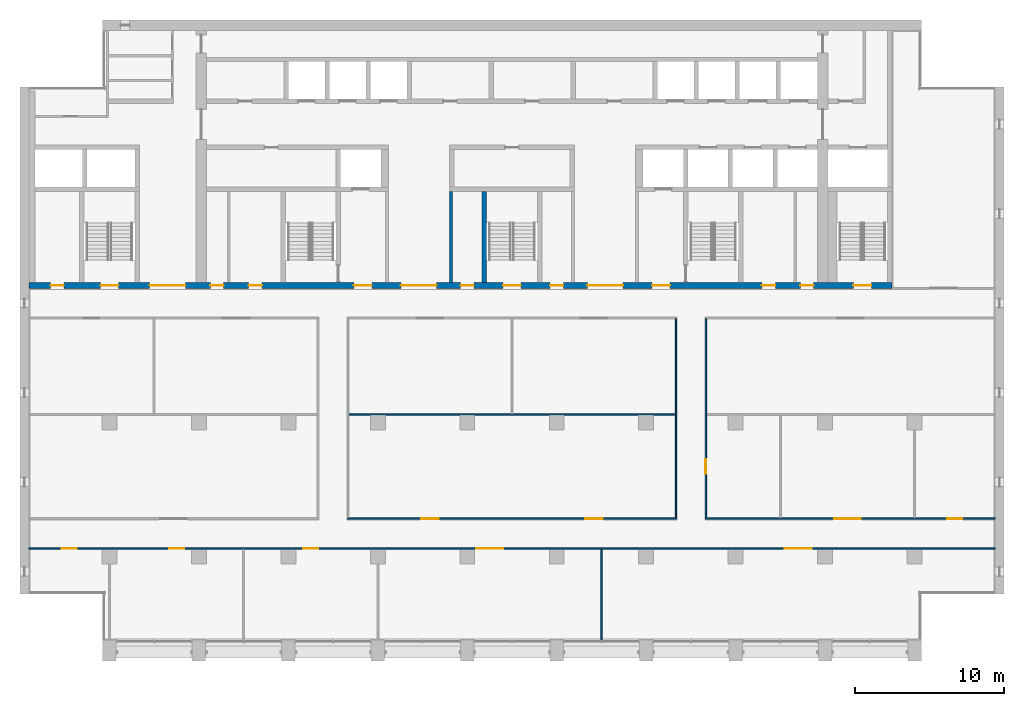
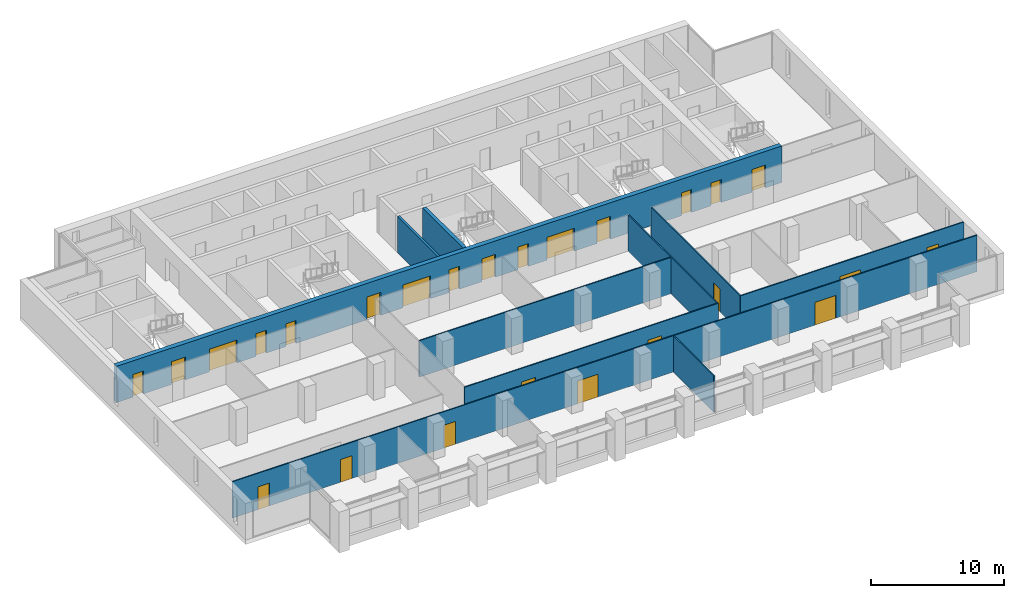
# One storey, part 9 of 17: 25 doors, 10 walls, 25 openings.
"""IFC4 building model written with IfcOpenShell, lengths in metres."""

import ifcopenshell
import ifcopenshell.guid

model = None  # the IFC model being written
_history = None  # IfcOwnerHistory: only IFC2X3 demands one
_inside = {}  # id of a spatial element -> (the spatial element, [elements in it])
_under = {}  # id of a project, library or spatial element -> (it, [spatial elements below it])
_declared = {}  # id of a project -> (the project, [libraries it declares])
_typed = {}  # id of a type object -> (the type object, [elements of that type])
_made_of = {}  # id of a material, layer set ... -> (it, [elements and type objects made of it])


def new_model(schema):
    """Start an empty IFC model of exactly this schema.

    Asked for "IFC4X3", IfcOpenShell would pick the latest addendum, in which some entities
    have other attributes; the version numbers below select the first issue.
    IFC2X3 requires an IfcOwnerHistory on every rooted entity: one is made here for all.
    """
    global model, _history
    if schema == "IFC4X3":
        model = ifcopenshell.file(schema_version=(4, 3, 0, 0))
    else:
        model = ifcopenshell.file(schema=schema)
    _inside.clear()
    _under.clear()
    _declared.clear()
    _typed.clear()
    _made_of.clear()
    _history = None
    if model.schema == "IFC2X3":
        org = make("IfcOrganization", Name="unknown")
        user = make(
            "IfcPersonAndOrganization",
            ThePerson=make("IfcPerson", FamilyName="unknown"),
            TheOrganization=org,
        )
        app = make(
            "IfcApplication",
            ApplicationDeveloper=org,
            Version="unknown",
            ApplicationFullName="unknown",
            ApplicationIdentifier="unknown",
        )
        _history = make(
            "IfcOwnerHistory",
            OwningUser=user,
            OwningApplication=app,
            ChangeAction="ADDED",
            CreationDate=0,
        )
    return model


def make(cls, **values):
    """One entity of the class cls with the attributes given. An attribute that is None is left unset."""
    return model.create_entity(
        cls, **{name: value for name, value in values.items() if value is not None}
    )


def rooted(cls, **values):
    """An entity with a GlobalId (a new one), such as an element, a storey or a relation."""
    return make(cls, GlobalId=ifcopenshell.guid.new(), OwnerHistory=_history, **values)


def si_unit(unit_type, name, prefix=None):
    """IfcSIUnit, for example si_unit("LENGTHUNIT", "METRE", prefix="MILLI")."""
    return make("IfcSIUnit", UnitType=unit_type, Prefix=prefix, Name=name)


def assignment(units):
    """IfcUnitAssignment: the units of a project."""
    return None if units is None else make("IfcUnitAssignment", Units=units)


def point(xyz):
    """IfcCartesianPoint."""
    return None if xyz is None else make("IfcCartesianPoint", Coordinates=xyz)


def direction(xyz):
    """IfcDirection."""
    return None if xyz is None else make("IfcDirection", DirectionRatios=xyz)


def frame(location, z_axis=None, x_axis=None):
    """IfcAxis2Placement3D, a coordinate frame: its origin and axes. An axis left out is left unset."""
    return make(
        "IfcAxis2Placement3D",
        Location=point(location),
        Axis=direction(z_axis),
        RefDirection=direction(x_axis),
    )


def frame_2d(location, x_axis=None):
    """IfcAxis2Placement2D, a coordinate frame in the plane: its origin and x axis."""
    return make(
        "IfcAxis2Placement2D", Location=point(location), RefDirection=direction(x_axis)
    )


def origin():
    """The frame at (0, 0, 0) with its axes left unset."""
    return frame((0.0, 0.0, 0.0))


def place(relative_to, where):
    """IfcLocalPlacement: puts the frame where relative to a parent placement (None: the world)."""
    return make(
        "IfcLocalPlacement", PlacementRelTo=relative_to, RelativePlacement=where
    )


def context(
    kind, dimensions, precision=None, world=None, true_north=None, identifier=None
):
    """IfcGeometricRepresentationContext, for example the 3D "Model" context."""
    return make(
        "IfcGeometricRepresentationContext",
        ContextIdentifier=identifier,
        ContextType=kind,
        CoordinateSpaceDimension=dimensions,
        Precision=precision,
        WorldCoordinateSystem=world,
        TrueNorth=true_north,
    )


def subcontext(parent, identifier, kind, view, scale=None):
    """IfcGeometricRepresentationSubContext, for example "Body" below "Model"."""
    return make(
        "IfcGeometricRepresentationSubContext",
        ContextIdentifier=identifier,
        ContextType=kind,
        ParentContext=parent,
        TargetScale=scale,
        TargetView=view,
    )


def project(units=None, contexts=None):
    """IfcProject with its units and contexts."""
    return rooted(
        "IfcProject",
        Name="project",
        RepresentationContexts=contexts,
        UnitsInContext=assignment(units),
    )


def spatial(cls, under=None, at=None, **own):
    """A site, building, storey or space (cls), placed at a placement, below another one or the project."""
    s = rooted(cls, ObjectPlacement=at, **own)
    if under is not None:
        _under.setdefault(under.id(), (under, []))[1].append(s)
    return s


def profile(cls, at=None, kind="AREA", **sizes):
    """A parametric profile (cls). Its sizes go by their IFC names, for example OverallWidth=200.0."""
    return make(cls, ProfileType=kind, Position=at, **sizes)


def rectangle(**sizes):
    """IfcRectangleProfileDef."""
    return profile("IfcRectangleProfileDef", **sizes)


def extrude(swept, where, along, depth):
    """IfcExtrudedAreaSolid: the profile swept, set in the frame where, extruded along a direction by depth."""
    return make(
        "IfcExtrudedAreaSolid",
        SweptArea=swept,
        Position=where,
        ExtrudedDirection=direction(along),
        Depth=depth,
    )


def shape(context_of_items, identifier, shape_type, items):
    """IfcShapeRepresentation: the items that make up one representation, for example the "Body"."""
    return make(
        "IfcShapeRepresentation",
        ContextOfItems=context_of_items,
        RepresentationIdentifier=identifier,
        RepresentationType=shape_type,
        Items=items,
    )


def material(Name=None, Category=None):
    """IfcMaterial."""
    return make("IfcMaterial", Name=Name, Category=Category)


def layer(
    of_material, thickness, ventilated=None, Name=None, Category=None, Priority=None
):
    """IfcMaterialLayer: one layer of a wall or slab, of a material (None: an air gap)."""
    return make(
        "IfcMaterialLayer",
        Material=of_material,
        LayerThickness=thickness,
        IsVentilated=ventilated,
        Name=Name,
        Category=Category,
        Priority=Priority,
    )


def layer_set(layers, Name=None):
    """IfcMaterialLayerSet."""
    return make("IfcMaterialLayerSet", MaterialLayers=layers, LayerSetName=Name)


def made_of(thing, what):
    """Note that an element or type object is made of a material, layer set ...; save() writes the relation."""
    if what is not None:
        _made_of.setdefault(what.id(), (what, []))[1].append(thing)
    return thing


def type_object(cls, material=None, **own):
    """A type object (cls), such as IfcWallType, which elements share."""
    return made_of(rooted(cls, **own), material)


def element(
    cls,
    number,
    at=None,
    inside=None,
    cuts=None,
    type_object=None,
    material=None,
    context=None,
    identifier="Body",
    shape_type=None,
    held_by="IfcProductDefinitionShape",
    body=None,
    shapes=None,
    **own,
):
    """One element of the class cls, such as IfcWall. Its Tag is "e" and its number.

    at: its placement. inside: the storey or other place that contains it. cuts: it is an
    opening in that element (IfcRelVoidsElement). A single representation is given by context,
    identifier, shape_type and body (its items); several are given by shapes. held_by: the class
    of the entity that holds the representations. save() writes the other relations.
    """
    e = rooted(cls, Tag="e%d" % number, ObjectPlacement=at, **own)
    if body is not None:
        shapes = [shape(context, identifier, shape_type, body)]
    if shapes is not None:
        e.Representation = make(held_by, Representations=shapes)
    if inside is not None:
        _inside.setdefault(inside.id(), (inside, []))[1].append(e)
    if cuts is not None:
        rooted(
            "IfcRelVoidsElement", RelatingBuildingElement=cuts, RelatedOpeningElement=e
        )
    if type_object is not None:
        _typed.setdefault(type_object.id(), (type_object, []))[1].append(e)
    return made_of(e, material)


def fill(opening, filler):
    """IfcRelFillsElement: the door or window that sits in an opening."""
    return rooted(
        "IfcRelFillsElement",
        RelatingOpeningElement=opening,
        RelatedBuildingElement=filler,
    )


def aggregate(whole, parts):
    """IfcRelAggregates: a whole, such as a stair, and the parts it consists of."""
    return rooted("IfcRelAggregates", RelatingObject=whole, RelatedObjects=parts)


def save(model, path):
    """Write the relations noted so far, then the file.

    IfcRelAggregates (storeys below a building ...), IfcRelContainedInSpatialStructure (elements
    in a storey), IfcRelDefinesByType, IfcRelAssociatesMaterial and IfcRelDeclares: one each for
    every whole, place, type object, material and project.
    """
    for whole, parts in _under.values():
        aggregate(whole, parts)
    for where, things in _inside.values():
        rooted(
            "IfcRelContainedInSpatialStructure",
            RelatedElements=things,
            RelatingStructure=where,
        )
    for kind, things in _typed.values():
        rooted("IfcRelDefinesByType", RelatedObjects=things, RelatingType=kind)
    for what, things in _made_of.values():
        rooted("IfcRelAssociatesMaterial", RelatedObjects=things, RelatingMaterial=what)
    for by, libraries in _declared.values():
        rooted("IfcRelDeclares", RelatingContext=by, RelatedDefinitions=libraries)
    model.write(path)


model = new_model("IFC4")

# Units and contexts
model_context = context("Model", 3, precision=1e-05, world=origin(), true_north=direction((0.0, 1.0)))
body_context = subcontext(model_context, "Body", "Model", "MODEL_VIEW")
ifc_project = project(units=[si_unit("LENGTHUNIT", "METRE"), si_unit("AREAUNIT", "SQUARE_METRE"), si_unit("VOLUMEUNIT", "CUBIC_METRE"), si_unit("PLANEANGLEUNIT", "RADIAN"), si_unit("MASSUNIT", "GRAM", prefix="KILO")], contexts=[model_context])

# Site, building, storey
site_placement = place(None, origin())
site = spatial("IfcSite", under=ifc_project, at=site_placement, CompositionType="ELEMENT")
building_placement = place(site_placement, origin())
building = spatial("IfcBuilding", under=site, at=building_placement, Name="Calvaro Tower", CompositionType="ELEMENT")
storey_placement = place(building_placement, frame((0.0, 0.0, 215.5)))
storey = spatial("IfcBuildingStorey", under=building, at=storey_placement, Name="L54", CompositionType="ELEMENT", Elevation=215.5)

# Walls
ifc_material_1 = material(Name="Blockwork partition", Category="masonry")
ifc_layer_1 = layer(ifc_material_1, 0.199951171875)
ifc_layer_set_1 = layer_set([ifc_layer_1], Name="Blockwork partition")
wall_type_1 = type_object("IfcWallType", Name="Core partition 200 REI 120", PredefinedType="PARTITIONING", material=ifc_layer_set_1)
wall_1_placement = place(storey_placement, frame((34.89990234375, 28.39990234375, 0.0), z_axis=(0.0, 0.0, 1.0), x_axis=(0.0, 1.0, 0.0)))
element("IfcWall", 1, at=wall_1_placement, inside=storey, type_object=wall_type_1, Name="Core partition", PredefinedType="PARTITIONING", context=body_context, shape_type="SweptSolid", body=[
    extrude(rectangle(XDim=6.10009765625, YDim=0.199951171875, at=frame_2d((3.050048828125, 0.0))), origin(), (0.0, 0.0, 1.0), 3.35009765625),
])
ifc_material_2 = material(Name="Concrete C50/60", Category="concrete")
ifc_layer_2 = layer(ifc_material_2, 0.300048828125)
ifc_layer_set_2 = layer_set([ifc_layer_2], Name="Concrete C50/60")
wall_type_2 = type_object("IfcWallType", Name="Core wall C50/60 300", PredefinedType="SHEAR", material=ifc_layer_set_2)
wall_2_placement = place(storey_placement, frame((37.14990234375, 28.39990234375, 0.0), z_axis=(0.0, 0.0, 1.0), x_axis=(0.0, 1.0, 0.0)))
element("IfcWall", 2, at=wall_2_placement, inside=storey, type_object=wall_type_2, Name="Core wall, stair enclosure", PredefinedType="SHEAR", context=body_context, shape_type="SweptSolid", body=[
    extrude(rectangle(XDim=6.10009765625, YDim=0.300048828125, at=frame_2d((3.050048828125, 0.0))), origin(), (0.0, 0.0, 1.0), 3.35009765625),
])

# Wall, openings, doors
ifc_material_3 = material(Name="Concrete C50/60", Category="concrete")
ifc_layer_3 = layer(ifc_material_3, 0.39990234375)
ifc_layer_set_3 = layer_set([ifc_layer_3], Name="Concrete C50/60")
wall_type_3 = type_object("IfcWallType", Name="Core wall C50/60 400", PredefinedType="SHEAR", material=ifc_layer_set_3)
wall_3_placement = place(storey_placement, frame((6.60009765625, 28.199951171875, 0.0), z_axis=(0.0, 0.0, 1.0), x_axis=(1.0, 0.0, 0.0)))
wall_3 = element("IfcWall", 3, at=wall_3_placement, inside=storey, type_object=wall_type_3, Name="Core wall, front", PredefinedType="SHEAR", context=body_context, shape_type="SweptSolid", body=[
    extrude(rectangle(XDim=57.89990234375, YDim=0.39990234375, at=frame_2d((28.949951171875, 0.0))), origin(), (0.0, 0.0, 1.0), 3.35009765625),
])
opening_1_placement = place(wall_3_placement, frame((12.16259765625, 0.0, 0.0)))
opening_1 = element("IfcOpeningElement", 4, at=opening_1_placement, cuts=wall_3, Name="Opening RD9C", PredefinedType="OPENING", context=body_context, shape_type="SweptSolid", body=[
    extrude(rectangle(XDim=0.89990234375, YDim=2.10009765625, at=frame_2d((0.449951171875, 1.050048828125))), frame((0.0, 0.2099609375, 0.0), z_axis=(0.0, -1.0, 0.0), x_axis=(1.0, 0.0, 0.0)), (0.0, 0.0, 1.0), 0.419921875),
])
opening_2_placement = place(wall_3_placement, frame((14.737548828125, 0.0, 0.0)))
opening_2 = element("IfcOpeningElement", 5, at=opening_2_placement, cuts=wall_3, Name="Opening RD9E", PredefinedType="OPENING", context=body_context, shape_type="SweptSolid", body=[
    extrude(rectangle(XDim=0.89990234375, YDim=2.10009765625, at=frame_2d((0.449951171875, 1.050048828125))), frame((0.0, 0.2099609375, 0.0), z_axis=(0.0, -1.0, 0.0), x_axis=(1.0, 0.0, 0.0)), (0.0, 0.0, 1.0), 0.419921875),
])
opening_3_placement = place(wall_3_placement, frame((49.16259765625, 0.0, 0.0)))
opening_3 = element("IfcOpeningElement", 6, at=opening_3_placement, cuts=wall_3, Name="Opening RD9E", PredefinedType="OPENING", context=body_context, shape_type="SweptSolid", body=[
    extrude(rectangle(XDim=0.89990234375, YDim=2.10009765625, at=frame_2d((0.449951171875, 1.050048828125))), frame((0.0, 0.2099609375, 0.0), z_axis=(0.0, -1.0, 0.0), x_axis=(1.0, 0.0, 0.0)), (0.0, 0.0, 1.0), 0.419921875),
])
opening_4_placement = place(wall_3_placement, frame((51.737548828125, 0.0, 0.0)))
opening_4 = element("IfcOpeningElement", 7, at=opening_4_placement, cuts=wall_3, Name="Opening RD9C", PredefinedType="OPENING", context=body_context, shape_type="SweptSolid", body=[
    extrude(rectangle(XDim=0.89990234375, YDim=2.10009765625, at=frame_2d((0.449951171875, 1.050048828125))), frame((0.0, 0.2099609375, 0.0), z_axis=(0.0, -1.0, 0.0), x_axis=(1.0, 0.0, 0.0)), (0.0, 0.0, 1.0), 0.419921875),
])
opening_5_placement = place(wall_3_placement, frame((1.449951171875, 0.0, 0.0)))
opening_5 = element("IfcOpeningElement", 8, at=opening_5_placement, cuts=wall_3, Name="Opening RD9E", PredefinedType="OPENING", context=body_context, shape_type="SweptSolid", body=[
    extrude(rectangle(XDim=0.89990234375, YDim=2.10009765625, at=frame_2d((0.449951171875, 1.050048828125))), frame((0.0, 0.2099609375, 0.0), z_axis=(0.0, -1.0, 0.0), x_axis=(1.0, 0.0, 0.0)), (0.0, 0.0, 1.0), 0.419921875),
])
opening_6_placement = place(wall_3_placement, frame((4.800048828125, 0.0, 0.0)))
opening_6 = element("IfcOpeningElement", 9, at=opening_6_placement, cuts=wall_3, Name="Opening SD12D", PredefinedType="OPENING", context=body_context, shape_type="SweptSolid", body=[
    extrude(rectangle(XDim=1.199951171875, YDim=2.10009765625, at=frame_2d((0.60009765625, 1.050048828125))), frame((0.0, 0.2099609375, 0.0), z_axis=(0.0, -1.0, 0.0), x_axis=(1.0, 0.0, 0.0)), (0.0, 0.0, 1.0), 0.419921875),
])
opening_7_placement = place(wall_3_placement, frame((31.800048828125, 0.0, 0.0)))
opening_7 = element("IfcOpeningElement", 10, at=opening_7_placement, cuts=wall_3, Name="Opening SD12D", PredefinedType="OPENING", context=body_context, shape_type="SweptSolid", body=[
    extrude(rectangle(XDim=1.199951171875, YDim=2.10009765625, at=frame_2d((0.60009765625, 1.050048828125))), frame((0.0, 0.2099609375, 0.0), z_axis=(0.0, -1.0, 0.0), x_axis=(1.0, 0.0, 0.0)), (0.0, 0.0, 1.0), 0.419921875),
])
opening_8_placement = place(wall_3_placement, frame((55.300048828125, 0.0, 0.0)))
opening_8 = element("IfcOpeningElement", 11, at=opening_8_placement, cuts=wall_3, Name="Opening SD12D", PredefinedType="OPENING", context=body_context, shape_type="SweptSolid", body=[
    extrude(rectangle(XDim=1.199951171875, YDim=2.10009765625, at=frame_2d((0.60009765625, 1.050048828125))), frame((0.0, 0.2099609375, 0.0), z_axis=(0.0, -1.0, 0.0), x_axis=(1.0, 0.0, 0.0)), (0.0, 0.0, 1.0), 0.419921875),
])
opening_9_placement = place(wall_3_placement, frame((21.800048828125, 0.0, 0.0)))
opening_9 = element("IfcOpeningElement", 12, at=opening_9_placement, cuts=wall_3, Name="Opening FD12F", PredefinedType="OPENING", context=body_context, shape_type="SweptSolid", body=[
    extrude(rectangle(XDim=1.199951171875, YDim=2.10009765625, at=frame_2d((0.60009765625, 1.050048828125))), frame((0.0, 0.2099609375, 0.0), z_axis=(0.0, -1.0, 0.0), x_axis=(1.0, 0.0, 0.0)), (0.0, 0.0, 1.0), 0.419921875),
])
opening_10_placement = place(wall_3_placement, frame((41.800048828125, 0.0, 0.0)))
opening_10 = element("IfcOpeningElement", 13, at=opening_10_placement, cuts=wall_3, Name="Opening FD12F", PredefinedType="OPENING", context=body_context, shape_type="SweptSolid", body=[
    extrude(rectangle(XDim=1.199951171875, YDim=2.10009765625, at=frame_2d((0.60009765625, 1.050048828125))), frame((0.0, 0.2099609375, 0.0), z_axis=(0.0, -1.0, 0.0), x_axis=(1.0, 0.0, 0.0)), (0.0, 0.0, 1.0), 0.419921875),
])
opening_11_placement = place(wall_3_placement, frame((24.949951171875, 0.0, 0.0)))
opening_11 = element("IfcOpeningElement", 14, at=opening_11_placement, cuts=wall_3, Name="Opening DD24D", PredefinedType="OPENING", context=body_context, shape_type="SweptSolid", body=[
    extrude(rectangle(XDim=2.39990234375, YDim=2.10009765625, at=frame_2d((1.199951171875, 1.050048828125))), frame((0.0, 0.2099609375, 0.0), z_axis=(0.0, -1.0, 0.0), x_axis=(1.0, 0.0, 0.0)), (0.0, 0.0, 1.0), 0.419921875),
])
opening_12_placement = place(wall_3_placement, frame((37.449951171875, 0.0, 0.0)))
opening_12 = element("IfcOpeningElement", 15, at=opening_12_placement, cuts=wall_3, Name="Opening DD24D", PredefinedType="OPENING", context=body_context, shape_type="SweptSolid", body=[
    extrude(rectangle(XDim=2.39990234375, YDim=2.10009765625, at=frame_2d((1.199951171875, 1.050048828125))), frame((0.0, 0.2099609375, 0.0), z_axis=(0.0, -1.0, 0.0), x_axis=(1.0, 0.0, 0.0)), (0.0, 0.0, 1.0), 0.419921875),
])
opening_13_placement = place(wall_3_placement, frame((8.10009765625, 0.0, 0.0)))
opening_13 = element("IfcOpeningElement", 16, at=opening_13_placement, cuts=wall_3, Name="Opening DD24D", PredefinedType="OPENING", context=body_context, shape_type="SweptSolid", body=[
    extrude(rectangle(XDim=2.39990234375, YDim=2.10009765625, at=frame_2d((1.199951171875, 1.050048828125))), frame((0.0, 0.2099609375, 0.0), z_axis=(0.0, -1.0, 0.0), x_axis=(1.0, 0.0, 0.0)), (0.0, 0.0, 1.0), 0.419921875),
])
opening_14_placement = place(wall_3_placement, frame((28.949951171875, 0.0, 0.0)))
opening_14 = element("IfcOpeningElement", 17, at=opening_14_placement, cuts=wall_3, Name="Opening RD9E", PredefinedType="OPENING", context=body_context, shape_type="SweptSolid", body=[
    extrude(rectangle(XDim=0.89990234375, YDim=2.10009765625, at=frame_2d((0.449951171875, 1.050048828125))), frame((0.0, 0.2099609375, 0.0), z_axis=(0.0, -1.0, 0.0), x_axis=(1.0, 0.0, 0.0)), (0.0, 0.0, 1.0), 0.419921875),
])
opening_15_placement = place(wall_3_placement, frame((34.949951171875, 0.0, 0.0)))
opening_15 = element("IfcOpeningElement", 18, at=opening_15_placement, cuts=wall_3, Name="Opening RD9E", PredefinedType="OPENING", context=body_context, shape_type="SweptSolid", body=[
    extrude(rectangle(XDim=0.89990234375, YDim=2.10009765625, at=frame_2d((0.449951171875, 1.050048828125))), frame((0.0, 0.2099609375, 0.0), z_axis=(0.0, -1.0, 0.0), x_axis=(1.0, 0.0, 0.0)), (0.0, 0.0, 1.0), 0.419921875),
])
ifc_material_4 = material(Name="Steel door set", Category="steel")
door_type_1 = type_object("IfcDoorType", Name="Fire door 1200 FD60S", OperationType="SINGLE_SWING_LEFT", PredefinedType="DOOR", material=ifc_material_4)
door_1_placement = place(opening_9_placement, origin())
door_1 = element("IfcDoor", 19, at=door_1_placement, inside=storey, type_object=door_type_1, Name="Fire door", OperationType="SINGLE_SWING_LEFT", OverallHeight=2.10009765625, OverallWidth=1.199951171875, PredefinedType="DOOR", context=body_context, shape_type="SweptSolid", body=[
    extrude(rectangle(XDim=1.199951171875, YDim=2.10009765625, at=frame_2d((0.60009765625, 1.050048828125))), frame((0.0, 0.02490234375, 0.0), z_axis=(0.0, -1.0, 0.0), x_axis=(1.0, 0.0, 0.0)), (0.0, 0.0, 1.0), 0.050048828125),
])
fill(opening_9, door_1)
door_2_placement = place(opening_10_placement, origin())
door_2 = element("IfcDoor", 20, at=door_2_placement, inside=storey, type_object=door_type_1, Name="Fire door", OperationType="SINGLE_SWING_LEFT", OverallHeight=2.10009765625, OverallWidth=1.199951171875, PredefinedType="DOOR", context=body_context, shape_type="SweptSolid", body=[
    extrude(rectangle(XDim=1.199951171875, YDim=2.10009765625, at=frame_2d((0.60009765625, 1.050048828125))), frame((0.0, 0.02490234375, 0.0), z_axis=(0.0, -1.0, 0.0), x_axis=(1.0, 0.0, 0.0)), (0.0, 0.0, 1.0), 0.050048828125),
])
fill(opening_10, door_2)
ifc_material_5 = material(Name="Steel door set", Category="steel")
door_type_2 = type_object("IfcDoorType", Name="Lobby double door 2400 FD30S", OperationType="DOUBLE_DOOR_SINGLE_SWING", PredefinedType="DOOR", material=ifc_material_5)
door_3_placement = place(opening_11_placement, origin())
door_3 = element("IfcDoor", 21, at=door_3_placement, inside=storey, type_object=door_type_2, Name="Lobby double door", OperationType="DOUBLE_DOOR_SINGLE_SWING", OverallHeight=2.10009765625, OverallWidth=2.39990234375, PredefinedType="DOOR", context=body_context, shape_type="SweptSolid", body=[
    extrude(rectangle(XDim=2.39990234375, YDim=2.10009765625, at=frame_2d((1.199951171875, 1.050048828125))), frame((0.0, 0.02490234375, 0.0), z_axis=(0.0, -1.0, 0.0), x_axis=(1.0, 0.0, 0.0)), (0.0, 0.0, 1.0), 0.050048828125),
])
fill(opening_11, door_3)
door_4_placement = place(opening_12_placement, origin())
door_4 = element("IfcDoor", 22, at=door_4_placement, inside=storey, type_object=door_type_2, Name="Lobby double door", OperationType="DOUBLE_DOOR_SINGLE_SWING", OverallHeight=2.10009765625, OverallWidth=2.39990234375, PredefinedType="DOOR", context=body_context, shape_type="SweptSolid", body=[
    extrude(rectangle(XDim=2.39990234375, YDim=2.10009765625, at=frame_2d((1.199951171875, 1.050048828125))), frame((0.0, 0.02490234375, 0.0), z_axis=(0.0, -1.0, 0.0), x_axis=(1.0, 0.0, 0.0)), (0.0, 0.0, 1.0), 0.050048828125),
])
fill(opening_12, door_4)
door_5_placement = place(opening_13_placement, origin())
door_5 = element("IfcDoor", 23, at=door_5_placement, inside=storey, type_object=door_type_2, Name="Lobby double door", OperationType="DOUBLE_DOOR_SINGLE_SWING", OverallHeight=2.10009765625, OverallWidth=2.39990234375, PredefinedType="DOOR", context=body_context, shape_type="SweptSolid", body=[
    extrude(rectangle(XDim=2.39990234375, YDim=2.10009765625, at=frame_2d((1.199951171875, 1.050048828125))), frame((0.0, 0.02490234375, 0.0), z_axis=(0.0, -1.0, 0.0), x_axis=(1.0, 0.0, 0.0)), (0.0, 0.0, 1.0), 0.050048828125),
])
fill(opening_13, door_5)
ifc_material_6 = material(Name="Steel door set", Category="steel")
door_type_3 = type_object("IfcDoorType", Name="Room door 900 FD30", OperationType="SINGLE_SWING_LEFT", PredefinedType="DOOR", material=ifc_material_6)
door_6_placement = place(opening_1_placement, origin())
door_6 = element("IfcDoor", 24, at=door_6_placement, inside=storey, type_object=door_type_3, Name="Room door", OperationType="SINGLE_SWING_LEFT", OverallHeight=2.10009765625, OverallWidth=0.89990234375, PredefinedType="DOOR", context=body_context, shape_type="SweptSolid", body=[
    extrude(rectangle(XDim=0.89990234375, YDim=2.10009765625, at=frame_2d((0.449951171875, 1.050048828125))), frame((0.0, 0.02490234375, 0.0), z_axis=(0.0, -1.0, 0.0), x_axis=(1.0, 0.0, 0.0)), (0.0, 0.0, 1.0), 0.050048828125),
])
fill(opening_1, door_6)
door_7_placement = place(opening_4_placement, origin())
door_7 = element("IfcDoor", 25, at=door_7_placement, inside=storey, type_object=door_type_3, Name="Room door", OperationType="SINGLE_SWING_LEFT", OverallHeight=2.10009765625, OverallWidth=0.89990234375, PredefinedType="DOOR", context=body_context, shape_type="SweptSolid", body=[
    extrude(rectangle(XDim=0.89990234375, YDim=2.10009765625, at=frame_2d((0.449951171875, 1.050048828125))), frame((0.0, 0.02490234375, 0.0), z_axis=(0.0, -1.0, 0.0), x_axis=(1.0, 0.0, 0.0)), (0.0, 0.0, 1.0), 0.050048828125),
])
fill(opening_4, door_7)
ifc_material_7 = material(Name="Steel door set", Category="steel")
door_type_4 = type_object("IfcDoorType", Name="Room door 900 FD60", OperationType="SINGLE_SWING_LEFT", PredefinedType="DOOR", material=ifc_material_7)
door_8_placement = place(opening_2_placement, origin())
door_8 = element("IfcDoor", 26, at=door_8_placement, inside=storey, type_object=door_type_4, Name="Room door", OperationType="SINGLE_SWING_RIGHT", OverallHeight=2.10009765625, OverallWidth=0.89990234375, PredefinedType="DOOR", context=body_context, shape_type="SweptSolid", body=[
    extrude(rectangle(XDim=0.89990234375, YDim=2.10009765625, at=frame_2d((0.449951171875, 1.050048828125))), frame((0.0, 0.02490234375, 0.0), z_axis=(0.0, -1.0, 0.0), x_axis=(1.0, 0.0, 0.0)), (0.0, 0.0, 1.0), 0.050048828125),
])
fill(opening_2, door_8)
door_9_placement = place(opening_3_placement, origin())
door_9 = element("IfcDoor", 27, at=door_9_placement, inside=storey, type_object=door_type_4, Name="Room door", OperationType="SINGLE_SWING_LEFT", OverallHeight=2.10009765625, OverallWidth=0.89990234375, PredefinedType="DOOR", context=body_context, shape_type="SweptSolid", body=[
    extrude(rectangle(XDim=0.89990234375, YDim=2.10009765625, at=frame_2d((0.449951171875, 1.050048828125))), frame((0.0, 0.02490234375, 0.0), z_axis=(0.0, -1.0, 0.0), x_axis=(1.0, 0.0, 0.0)), (0.0, 0.0, 1.0), 0.050048828125),
])
fill(opening_3, door_9)
door_10_placement = place(opening_5_placement, origin())
door_10 = element("IfcDoor", 28, at=door_10_placement, inside=storey, type_object=door_type_4, Name="Room door", OperationType="SINGLE_SWING_LEFT", OverallHeight=2.10009765625, OverallWidth=0.89990234375, PredefinedType="DOOR", context=body_context, shape_type="SweptSolid", body=[
    extrude(rectangle(XDim=0.89990234375, YDim=2.10009765625, at=frame_2d((0.449951171875, 1.050048828125))), frame((0.0, 0.02490234375, 0.0), z_axis=(0.0, -1.0, 0.0), x_axis=(1.0, 0.0, 0.0)), (0.0, 0.0, 1.0), 0.050048828125),
])
fill(opening_5, door_10)
door_11_placement = place(opening_14_placement, origin())
door_11 = element("IfcDoor", 29, at=door_11_placement, inside=storey, type_object=door_type_4, Name="Room door", OperationType="SINGLE_SWING_LEFT", OverallHeight=2.10009765625, OverallWidth=0.89990234375, PredefinedType="DOOR", context=body_context, shape_type="SweptSolid", body=[
    extrude(rectangle(XDim=0.89990234375, YDim=2.10009765625, at=frame_2d((0.449951171875, 1.050048828125))), frame((0.0, 0.02490234375, 0.0), z_axis=(0.0, -1.0, 0.0), x_axis=(1.0, 0.0, 0.0)), (0.0, 0.0, 1.0), 0.050048828125),
])
fill(opening_14, door_11)
door_12_placement = place(opening_15_placement, origin())
door_12 = element("IfcDoor", 30, at=door_12_placement, inside=storey, type_object=door_type_4, Name="Room door", OperationType="SINGLE_SWING_LEFT", OverallHeight=2.10009765625, OverallWidth=0.89990234375, PredefinedType="DOOR", context=body_context, shape_type="SweptSolid", body=[
    extrude(rectangle(XDim=0.89990234375, YDim=2.10009765625, at=frame_2d((0.449951171875, 1.050048828125))), frame((0.0, 0.02490234375, 0.0), z_axis=(0.0, -1.0, 0.0), x_axis=(1.0, 0.0, 0.0)), (0.0, 0.0, 1.0), 0.050048828125),
])
fill(opening_15, door_12)
ifc_material_8 = material(Name="Steel door set", Category="steel")
door_type_5 = type_object("IfcDoorType", Name="Stair door 1200 FD30S", OperationType="SINGLE_SWING_LEFT", PredefinedType="DOOR", material=ifc_material_8)
door_13_placement = place(opening_6_placement, origin())
door_13 = element("IfcDoor", 31, at=door_13_placement, inside=storey, type_object=door_type_5, Name="Stair door", OperationType="SINGLE_SWING_LEFT", OverallHeight=2.10009765625, OverallWidth=1.199951171875, PredefinedType="DOOR", context=body_context, shape_type="SweptSolid", body=[
    extrude(rectangle(XDim=1.199951171875, YDim=2.10009765625, at=frame_2d((0.60009765625, 1.050048828125))), frame((0.0, 0.02490234375, 0.0), z_axis=(0.0, -1.0, 0.0), x_axis=(1.0, 0.0, 0.0)), (0.0, 0.0, 1.0), 0.050048828125),
])
fill(opening_6, door_13)
door_14_placement = place(opening_7_placement, origin())
door_14 = element("IfcDoor", 32, at=door_14_placement, inside=storey, type_object=door_type_5, Name="Stair door", OperationType="SINGLE_SWING_LEFT", OverallHeight=2.10009765625, OverallWidth=1.199951171875, PredefinedType="DOOR", context=body_context, shape_type="SweptSolid", body=[
    extrude(rectangle(XDim=1.199951171875, YDim=2.10009765625, at=frame_2d((0.60009765625, 1.050048828125))), frame((0.0, 0.02490234375, 0.0), z_axis=(0.0, -1.0, 0.0), x_axis=(1.0, 0.0, 0.0)), (0.0, 0.0, 1.0), 0.050048828125),
])
fill(opening_7, door_14)
door_15_placement = place(opening_8_placement, origin())
door_15 = element("IfcDoor", 33, at=door_15_placement, inside=storey, type_object=door_type_5, Name="Stair door", OperationType="SINGLE_SWING_LEFT", OverallHeight=2.10009765625, OverallWidth=1.199951171875, PredefinedType="DOOR", context=body_context, shape_type="SweptSolid", body=[
    extrude(rectangle(XDim=1.199951171875, YDim=2.10009765625, at=frame_2d((0.60009765625, 1.050048828125))), frame((0.0, 0.02490234375, 0.0), z_axis=(0.0, -1.0, 0.0), x_axis=(1.0, 0.0, 0.0)), (0.0, 0.0, 1.0), 0.050048828125),
])
fill(opening_8, door_15)

ifc_material_9 = material(Name="Plasterboard on steel studs", Category="steel")
ifc_layer_4 = layer(ifc_material_9, 0.10009765625)
ifc_layer_set_4 = layer_set([ifc_layer_4], Name="Plasterboard on steel studs")
wall_type_4 = type_object("IfcWallType", Name="Partition 100", PredefinedType="PARTITIONING", material=ifc_layer_set_4)
wall_4_placement = place(storey_placement, frame((6.60009765625, 10.550048828125, 0.0), z_axis=(0.0, 0.0, 1.0), x_axis=(1.0, 0.0, 0.0)))
wall_4 = element("IfcWall", 34, at=wall_4_placement, inside=storey, type_object=wall_type_4, Name="Partition T31.W001", PredefinedType="PARTITIONING", context=body_context, shape_type="SweptSolid", body=[
    extrude(rectangle(XDim=64.7998046875, YDim=0.10009765625, at=frame_2d((32.39990234375, 0.0))), origin(), (0.0, 0.0, 1.0), 3.35009765625),
])
opening_16_placement = place(wall_4_placement, frame((9.39990234375, 0.0, 0.0)))
opening_16 = element("IfcOpeningElement", 35, at=opening_16_placement, cuts=wall_4, Name="Opening T31.001", PredefinedType="OPENING", context=body_context, shape_type="SweptSolid", body=[
    extrude(rectangle(XDim=1.0, YDim=2.10009765625, at=frame_2d((0.5, 1.050048828125))), frame((0.0, 0.06005859375, 0.0), z_axis=(0.0, -1.0, 0.0), x_axis=(1.0, 0.0, 0.0)), (0.0, 0.0, 1.0), 0.1201171875),
])
opening_17_placement = place(wall_4_placement, frame((18.39990234375, 0.0, 0.0)))
opening_17 = element("IfcOpeningElement", 36, at=opening_17_placement, cuts=wall_4, Name="Opening T31.002", PredefinedType="OPENING", context=body_context, shape_type="SweptSolid", body=[
    extrude(rectangle(XDim=1.0, YDim=2.10009765625, at=frame_2d((0.5, 1.050048828125))), frame((0.0, 0.06005859375, 0.0), z_axis=(0.0, -1.0, 0.0), x_axis=(1.0, 0.0, 0.0)), (0.0, 0.0, 1.0), 0.1201171875),
])
opening_18_placement = place(wall_4_placement, frame((30.0, 0.0, 0.0)))
opening_18 = element("IfcOpeningElement", 37, at=opening_18_placement, cuts=wall_4, Name="Opening T31.003", PredefinedType="OPENING", context=body_context, shape_type="SweptSolid", body=[
    extrude(rectangle(XDim=1.800048828125, YDim=2.10009765625, at=frame_2d((0.89990234375, 1.050048828125))), frame((0.0, 0.06005859375, 0.0), z_axis=(0.0, -1.0, 0.0), x_axis=(1.0, 0.0, 0.0)), (0.0, 0.0, 1.0), 0.1201171875),
])
opening_19_placement = place(wall_4_placement, frame((50.699951171875, 0.0, 0.0)))
opening_19 = element("IfcOpeningElement", 38, at=opening_19_placement, cuts=wall_4, Name="Opening T31.004", PredefinedType="OPENING", context=body_context, shape_type="SweptSolid", body=[
    extrude(rectangle(XDim=1.800048828125, YDim=2.10009765625, at=frame_2d((0.89990234375, 1.050048828125))), frame((0.0, 0.06005859375, 0.0), z_axis=(0.0, -1.0, 0.0), x_axis=(1.0, 0.0, 0.0)), (0.0, 0.0, 1.0), 0.1201171875),
])
opening_20_placement = place(wall_4_placement, frame((2.199951171875, 0.0, 0.0)))
opening_20 = element("IfcOpeningElement", 39, at=opening_20_placement, cuts=wall_4, Name="Opening T31.005", PredefinedType="OPENING", context=body_context, shape_type="SweptSolid", body=[
    extrude(rectangle(XDim=1.0, YDim=2.10009765625, at=frame_2d((0.5, 1.050048828125))), frame((0.0, 0.06005859375, 0.0), z_axis=(0.0, -1.0, 0.0), x_axis=(1.0, 0.0, 0.0)), (0.0, 0.0, 1.0), 0.1201171875),
])
ifc_material_10 = material(Name="Timber", Category="wood")
door_type_6 = type_object("IfcDoorType", Name="Internal double door 1800 x 2100", OperationType="DOUBLE_DOOR_SINGLE_SWING", PredefinedType="DOOR", material=ifc_material_10)
door_16_placement = place(opening_18_placement, origin())
door_16 = element("IfcDoor", 40, at=door_16_placement, inside=storey, type_object=door_type_6, Name="Door T31.003", OperationType="DOUBLE_DOOR_SINGLE_SWING", OverallHeight=2.10009765625, OverallWidth=1.800048828125, PredefinedType="DOOR", context=body_context, shape_type="SweptSolid", body=[
    extrude(rectangle(XDim=1.800048828125, YDim=2.10009765625, at=frame_2d((0.89990234375, 1.050048828125))), frame((0.0, 0.02490234375, 0.0), z_axis=(0.0, -1.0, 0.0), x_axis=(1.0, 0.0, 0.0)), (0.0, 0.0, 1.0), 0.050048828125),
])
fill(opening_18, door_16)
door_17_placement = place(opening_19_placement, origin())
door_17 = element("IfcDoor", 41, at=door_17_placement, inside=storey, type_object=door_type_6, Name="Door T31.004", OperationType="DOUBLE_DOOR_SINGLE_SWING", OverallHeight=2.10009765625, OverallWidth=1.800048828125, PredefinedType="DOOR", context=body_context, shape_type="SweptSolid", body=[
    extrude(rectangle(XDim=1.800048828125, YDim=2.10009765625, at=frame_2d((0.89990234375, 1.050048828125))), frame((0.0, 0.02490234375, 0.0), z_axis=(0.0, -1.0, 0.0), x_axis=(1.0, 0.0, 0.0)), (0.0, 0.0, 1.0), 0.050048828125),
])
fill(opening_19, door_17)
ifc_material_11 = material(Name="Timber", Category="wood")
door_type_7 = type_object("IfcDoorType", Name="Internal single door 1000 x 2100", OperationType="SINGLE_SWING_LEFT", PredefinedType="DOOR", material=ifc_material_11)
door_18_placement = place(opening_16_placement, origin())
door_18 = element("IfcDoor", 42, at=door_18_placement, inside=storey, type_object=door_type_7, Name="Door T31.001", OperationType="SINGLE_SWING_LEFT", OverallHeight=2.10009765625, OverallWidth=1.0, PredefinedType="DOOR", context=body_context, shape_type="SweptSolid", body=[
    extrude(rectangle(XDim=1.0, YDim=2.10009765625, at=frame_2d((0.5, 1.050048828125))), frame((0.0, 0.02490234375, 0.0), z_axis=(0.0, -1.0, 0.0), x_axis=(1.0, 0.0, 0.0)), (0.0, 0.0, 1.0), 0.050048828125),
])
fill(opening_16, door_18)
door_19_placement = place(opening_17_placement, origin())
door_19 = element("IfcDoor", 43, at=door_19_placement, inside=storey, type_object=door_type_7, Name="Door T31.002", OperationType="SINGLE_SWING_LEFT", OverallHeight=2.10009765625, OverallWidth=1.0, PredefinedType="DOOR", context=body_context, shape_type="SweptSolid", body=[
    extrude(rectangle(XDim=1.0, YDim=2.10009765625, at=frame_2d((0.5, 1.050048828125))), frame((0.0, 0.02490234375, 0.0), z_axis=(0.0, -1.0, 0.0), x_axis=(1.0, 0.0, 0.0)), (0.0, 0.0, 1.0), 0.050048828125),
])
fill(opening_17, door_19)
door_20_placement = place(opening_20_placement, origin())
door_20 = element("IfcDoor", 44, at=door_20_placement, inside=storey, type_object=door_type_7, Name="Door T31.005", OperationType="SINGLE_SWING_LEFT", OverallHeight=2.10009765625, OverallWidth=1.0, PredefinedType="DOOR", context=body_context, shape_type="SweptSolid", body=[
    extrude(rectangle(XDim=1.0, YDim=2.10009765625, at=frame_2d((0.5, 1.050048828125))), frame((0.0, 0.02490234375, 0.0), z_axis=(0.0, -1.0, 0.0), x_axis=(1.0, 0.0, 0.0)), (0.0, 0.0, 1.0), 0.050048828125),
])
fill(opening_20, door_20)

wall_5_placement = place(storey_placement, frame((27.949951171875, 12.550048828125, 0.0), z_axis=(0.0, 0.0, 1.0), x_axis=(1.0, 0.0, 0.0)))
wall_5 = element("IfcWall", 45, at=wall_5_placement, inside=storey, type_object=wall_type_4, Name="Partition T31.W003", PredefinedType="PARTITIONING", context=body_context, shape_type="SweptSolid", body=[
    extrude(rectangle(XDim=22.10009765625, YDim=0.10009765625, at=frame_2d((11.050048828125, 0.0))), origin(), (0.0, 0.0, 1.0), 3.35009765625),
])
opening_21_placement = place(wall_5_placement, frame((4.949951171875, 0.0, 0.0)))
opening_21 = element("IfcOpeningElement", 46, at=opening_21_placement, cuts=wall_5, Name="Opening T31.007", PredefinedType="OPENING", context=body_context, shape_type="SweptSolid", body=[
    extrude(rectangle(XDim=1.199951171875, YDim=2.10009765625, at=frame_2d((0.60009765625, 1.050048828125))), frame((0.0, 0.06005859375, 0.0), z_axis=(0.0, -1.0, 0.0), x_axis=(1.0, 0.0, 0.0)), (0.0, 0.0, 1.0), 0.1201171875),
])
opening_22_placement = place(wall_5_placement, frame((15.949951171875, 0.0, 0.0)))
opening_22 = element("IfcOpeningElement", 47, at=opening_22_placement, cuts=wall_5, Name="Opening T31.008", PredefinedType="OPENING", context=body_context, shape_type="SweptSolid", body=[
    extrude(rectangle(XDim=1.199951171875, YDim=2.10009765625, at=frame_2d((0.60009765625, 1.050048828125))), frame((0.0, 0.06005859375, 0.0), z_axis=(0.0, -1.0, 0.0), x_axis=(1.0, 0.0, 0.0)), (0.0, 0.0, 1.0), 0.1201171875),
])
ifc_material_12 = material(Name="Timber", Category="wood")
door_type_8 = type_object("IfcDoorType", Name="Internal single door 1200 x 2100", OperationType="SINGLE_SWING_LEFT", PredefinedType="DOOR", material=ifc_material_12)
door_21_placement = place(opening_21_placement, origin())
door_21 = element("IfcDoor", 48, at=door_21_placement, inside=storey, type_object=door_type_8, Name="Door T31.007", OperationType="SINGLE_SWING_LEFT", OverallHeight=2.10009765625, OverallWidth=1.199951171875, PredefinedType="DOOR", context=body_context, shape_type="SweptSolid", body=[
    extrude(rectangle(XDim=1.199951171875, YDim=2.10009765625, at=frame_2d((0.60009765625, 1.050048828125))), frame((0.0, 0.02490234375, 0.0), z_axis=(0.0, -1.0, 0.0), x_axis=(1.0, 0.0, 0.0)), (0.0, 0.0, 1.0), 0.050048828125),
])
fill(opening_21, door_21)
door_22_placement = place(opening_22_placement, origin())
door_22 = element("IfcDoor", 49, at=door_22_placement, inside=storey, type_object=door_type_8, Name="Door T31.008", OperationType="SINGLE_SWING_RIGHT", OverallHeight=2.10009765625, OverallWidth=1.199951171875, PredefinedType="DOOR", context=body_context, shape_type="SweptSolid", body=[
    extrude(rectangle(XDim=1.199951171875, YDim=2.10009765625, at=frame_2d((0.60009765625, 1.050048828125))), frame((0.0, 0.02490234375, 0.0), z_axis=(0.0, -1.0, 0.0), x_axis=(1.0, 0.0, 0.0)), (0.0, 0.0, 1.0), 0.050048828125),
])
fill(opening_22, door_22)

wall_6_placement = place(storey_placement, frame((51.949951171875, 12.550048828125, 0.0), z_axis=(0.0, 0.0, 1.0), x_axis=(1.0, 0.0, 0.0)))
wall_6 = element("IfcWall", 50, at=wall_6_placement, inside=storey, type_object=wall_type_4, Name="Partition T31.W004", PredefinedType="PARTITIONING", context=body_context, shape_type="SweptSolid", body=[
    extrude(rectangle(XDim=19.449951171875, YDim=0.10009765625, at=frame_2d((9.72509765625, 0.0))), origin(), (0.0, 0.0, 1.0), 3.35009765625),
])
opening_23_placement = place(wall_6_placement, frame((8.64990234375, 0.0, 0.0)))
opening_23 = element("IfcOpeningElement", 51, at=opening_23_placement, cuts=wall_6, Name="Opening T31.010", PredefinedType="OPENING", context=body_context, shape_type="SweptSolid", body=[
    extrude(rectangle(XDim=1.800048828125, YDim=2.10009765625, at=frame_2d((0.89990234375, 1.050048828125))), frame((0.0, 0.06005859375, 0.0), z_axis=(0.0, -1.0, 0.0), x_axis=(1.0, 0.0, 0.0)), (0.0, 0.0, 1.0), 0.1201171875),
])
opening_24_placement = place(wall_6_placement, frame((16.25, 0.0, 0.0)))
opening_24 = element("IfcOpeningElement", 52, at=opening_24_placement, cuts=wall_6, Name="Opening T31.011", PredefinedType="OPENING", context=body_context, shape_type="SweptSolid", body=[
    extrude(rectangle(XDim=1.0, YDim=2.10009765625, at=frame_2d((0.5, 1.050048828125))), frame((0.0, 0.06005859375, 0.0), z_axis=(0.0, -1.0, 0.0), x_axis=(1.0, 0.0, 0.0)), (0.0, 0.0, 1.0), 0.1201171875),
])
door_23_placement = place(opening_23_placement, origin())
door_23 = element("IfcDoor", 53, at=door_23_placement, inside=storey, type_object=door_type_6, Name="Door T31.010", OperationType="DOUBLE_DOOR_SINGLE_SWING", OverallHeight=2.10009765625, OverallWidth=1.800048828125, PredefinedType="DOOR", context=body_context, shape_type="SweptSolid", body=[
    extrude(rectangle(XDim=1.800048828125, YDim=2.10009765625, at=frame_2d((0.89990234375, 1.050048828125))), frame((0.0, 0.02490234375, 0.0), z_axis=(0.0, -1.0, 0.0), x_axis=(1.0, 0.0, 0.0)), (0.0, 0.0, 1.0), 0.050048828125),
])
fill(opening_23, door_23)
door_24_placement = place(opening_24_placement, origin())
door_24 = element("IfcDoor", 54, at=door_24_placement, inside=storey, type_object=door_type_7, Name="Door T31.011", OperationType="SINGLE_SWING_RIGHT", OverallHeight=2.10009765625, OverallWidth=1.0, PredefinedType="DOOR", context=body_context, shape_type="SweptSolid", body=[
    extrude(rectangle(XDim=1.0, YDim=2.10009765625, at=frame_2d((0.5, 1.050048828125))), frame((0.0, 0.02490234375, 0.0), z_axis=(0.0, -1.0, 0.0), x_axis=(1.0, 0.0, 0.0)), (0.0, 0.0, 1.0), 0.050048828125),
])
fill(opening_24, door_24)

# Walls
wall_7_placement = place(storey_placement, frame((28.050048828125, 19.550048828125, 0.0), z_axis=(0.0, 0.0, 1.0), x_axis=(1.0, 0.0, 0.0)))
element("IfcWall", 55, at=wall_7_placement, inside=storey, type_object=wall_type_4, Name="Partition T31.W006", PredefinedType="PARTITIONING", context=body_context, shape_type="SweptSolid", body=[
    extrude(rectangle(XDim=21.89990234375, YDim=0.10009765625, at=frame_2d((10.949951171875, 0.0))), origin(), (0.0, 0.0, 1.0), 3.35009765625),
])
wall_8_placement = place(storey_placement, frame((45.0, 4.39990234375, 0.0), z_axis=(0.0, 0.0, 1.0), x_axis=(0.0, 1.0, 0.0)))
element("IfcWall", 56, at=wall_8_placement, inside=storey, type_object=wall_type_4, Name="Partition T31.W019", PredefinedType="PARTITIONING", context=body_context, shape_type="SweptSolid", body=[
    extrude(rectangle(XDim=6.10009765625, YDim=0.10009765625, at=frame_2d((3.050048828125, 0.0))), origin(), (0.0, 0.0, 1.0), 3.35009765625),
])
wall_9_placement = place(storey_placement, frame((50.0, 12.60009765625, 0.0), z_axis=(0.0, 0.0, 1.0), x_axis=(0.0, 1.0, 0.0)))
element("IfcWall", 57, at=wall_9_placement, inside=storey, type_object=wall_type_4, Name="Partition T31.W020", PredefinedType="PARTITIONING", context=body_context, shape_type="SweptSolid", body=[
    extrude(rectangle(XDim=13.349853515625, YDim=0.10009765625, at=frame_2d((6.6748046875, 0.0))), origin(), (0.0, 0.0, 1.0), 3.35009765625),
])

# Wall, opening, door
wall_10_placement = place(storey_placement, frame((52.0, 12.60009765625, 0.0), z_axis=(0.0, 0.0, 1.0), x_axis=(0.0, 1.0, 0.0)))
wall_10 = element("IfcWall", 58, at=wall_10_placement, inside=storey, type_object=wall_type_4, Name="Partition T31.W021", PredefinedType="PARTITIONING", context=body_context, shape_type="SweptSolid", body=[
    extrude(rectangle(XDim=13.349853515625, YDim=0.10009765625, at=frame_2d((6.6748046875, 0.0))), origin(), (0.0, 0.0, 1.0), 3.35009765625),
])
opening_25_placement = place(wall_10_placement, frame((2.949951171875, 0.0, 0.0)))
opening_25 = element("IfcOpeningElement", 59, at=opening_25_placement, cuts=wall_10, Name="Opening T31.009", PredefinedType="OPENING", context=body_context, shape_type="SweptSolid", body=[
    extrude(rectangle(XDim=1.0, YDim=2.10009765625, at=frame_2d((0.5, 1.050048828125))), frame((0.0, 0.06005859375, 0.0), z_axis=(0.0, -1.0, 0.0), x_axis=(1.0, 0.0, 0.0)), (0.0, 0.0, 1.0), 0.1201171875),
])
door_25_placement = place(opening_25_placement, origin())
door_25 = element("IfcDoor", 60, at=door_25_placement, inside=storey, type_object=door_type_7, Name="Door T31.009", OperationType="SINGLE_SWING_LEFT", OverallHeight=2.10009765625, OverallWidth=1.0, PredefinedType="DOOR", context=body_context, shape_type="SweptSolid", body=[
    extrude(rectangle(XDim=1.0, YDim=2.10009765625, at=frame_2d((0.5, 1.050048828125))), frame((0.0, 0.02490234375, 0.0), z_axis=(0.0, -1.0, 0.0), x_axis=(1.0, 0.0, 0.0)), (0.0, 0.0, 1.0), 0.050048828125),
])
fill(opening_25, door_25)

save(model, "model.ifc")
